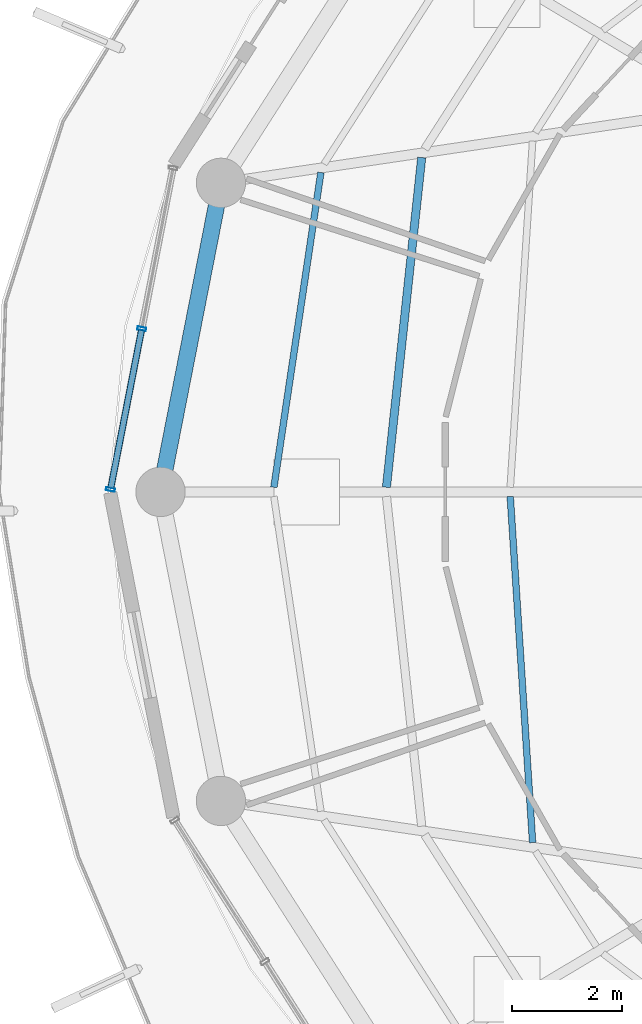
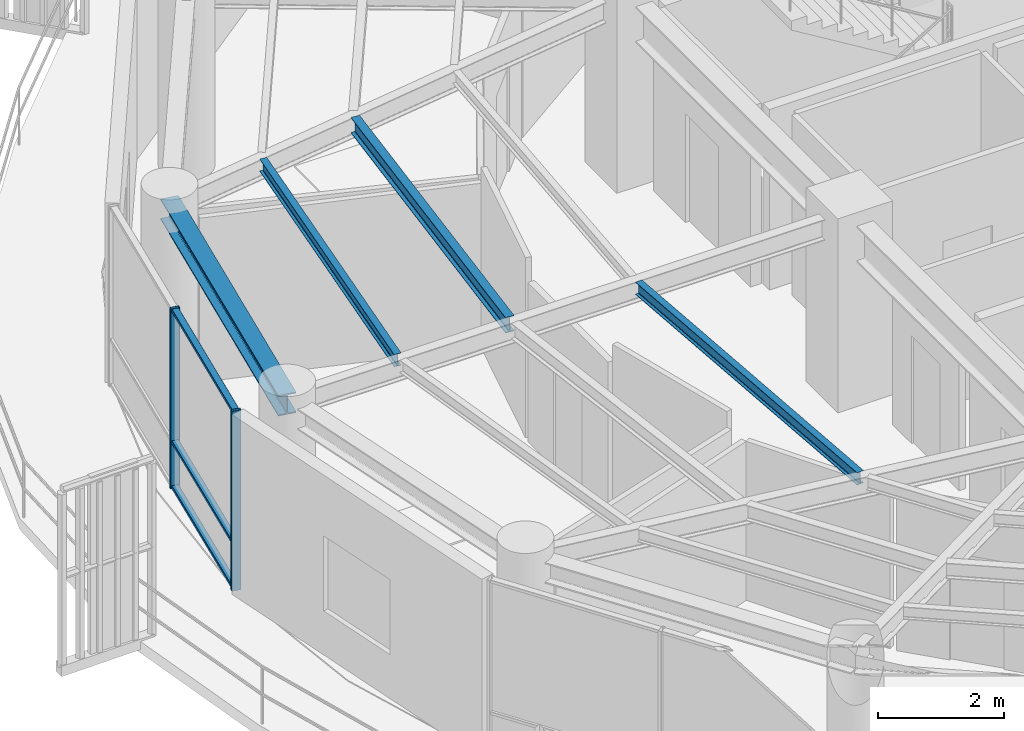
# One storey, part 6 of 23: 5 members, 4 beams, 1 element without a shape of its own.
"""IFC4 building model written with IfcOpenShell, lengths in metres."""

from ifc_helpers import new_model, si_unit, direction, frame, origin, origin_2d, place, context, subcontext, project, spatial, hollow_rectangle, i_section, extrude, material, layer, layer_set, material_profile, profile_set, type_object, element, aggregate, save


model = new_model("IFC4")

# Units and contexts
model_context = context("Model", 3, precision=1e-05, world=origin(), true_north=direction((0.0, 1.0)))
body_context = subcontext(model_context, "Body", "Model", "MODEL_VIEW")
ifc_project = project(units=[si_unit("LENGTHUNIT", "METRE"), si_unit("AREAUNIT", "SQUARE_METRE"), si_unit("VOLUMEUNIT", "CUBIC_METRE"), si_unit("PLANEANGLEUNIT", "RADIAN"), si_unit("MASSUNIT", "GRAM", prefix="KILO")], contexts=[model_context])

# Site, building, storey
site_placement = place(None, origin())
site = spatial("IfcSite", under=ifc_project, at=site_placement, CompositionType="ELEMENT")
building_placement = place(site_placement, origin())
building = spatial("IfcBuilding", under=site, at=building_placement, Name="Kelanora Arch Commons", CompositionType="ELEMENT")
storey_placement = place(building_placement, frame((0.0, 0.0, 252.449951171875)))
storey = spatial("IfcBuildingStorey", under=building, at=storey_placement, Name="L64", CompositionType="ELEMENT", Elevation=252.449951171875)

# Beams
ifc_material_1 = material(Name="Steel S355", Category="steel")
ifc_material_profile_1 = material_profile(ifc_material_1, i_section(OverallWidth=0.14990234375, OverallDepth=0.300048828125, WebThickness=0.007080078125, FlangeThickness=0.0107421875, FilletRadius=0.014892578125, at=origin_2d()), Name="IPE300")
ifc_profile_set_1 = profile_set([ifc_material_profile_1], Name="Steel S355")
beam_type_1 = type_object("IfcBeamType", Name="BM-JST-01", PredefinedType="JOIST", material=ifc_profile_set_1)
beam_1_placement = place(storey_placement, frame((60.484375, 64.097412109375, 3.340087890625), z_axis=(-0.106380594087, -0.994325484538, 0.0), x_axis=(0.994325484538, -0.106380594087, 0.0)))
element("IfcBeam", 1, at=beam_1_placement, inside=storey, type_object=beam_type_1, Name="Secondary Chord Joist BJB-16 L64", PredefinedType="JOIST", context=body_context, shape_type="SweptSolid", body=[
    extrude(i_section(OverallWidth=0.14990234375, OverallDepth=0.300048828125, WebThickness=0.007080078125, FlangeThickness=0.0107421875, FilletRadius=0.014892578125, at=origin_2d()), origin(), (0.0, 0.0, 1.0), 6.04736328125),
])
ifc_material_profile_2 = material_profile(ifc_material_1, i_section(OverallWidth=0.1201171875, OverallDepth=0.239990234375, WebThickness=0.006103515625, FlangeThickness=0.009765625, FilletRadius=0.014892578125, at=origin_2d()), Name="IPE240")
ifc_profile_set_2 = profile_set([ifc_material_profile_2], Name="Steel S355")
beam_type_2 = type_object("IfcBeamType", Name="BM-JST-02", PredefinedType="JOIST", material=ifc_profile_set_2)
beam_2_placement = place(storey_placement, frame((58.6455078125, 63.8251953125, 3.3701171875), z_axis=(-0.14762470282, -0.989043450571, 0.0), x_axis=(0.989043450571, -0.14762470282, 0.0)))
element("IfcBeam", 2, at=beam_2_placement, inside=storey, type_object=beam_type_2, Name="Secondary Chord Joist BJC-16 L64", PredefinedType="JOIST", context=body_context, shape_type="SweptSolid", body=[
    extrude(i_section(OverallWidth=0.1201171875, OverallDepth=0.239990234375, WebThickness=0.006103515625, FlangeThickness=0.009765625, FilletRadius=0.014892578125, at=origin_2d()), origin(), (0.0, 0.0, 1.0), 5.804931640625),
])
beam_3_placement = place(storey_placement, frame((62.09912109375, 57.915283203125, 3.3701171875), z_axis=(0.064495107978, -0.99791802321, 0.0), x_axis=(0.99791802321, 0.064495107978, 0.0)))
element("IfcBeam", 3, at=beam_3_placement, inside=storey, type_object=beam_type_2, Name="Secondary Chord Joist BJA-18 L64", PredefinedType="JOIST", context=body_context, shape_type="SweptSolid", body=[
    extrude(i_section(OverallWidth=0.1201171875, OverallDepth=0.239990234375, WebThickness=0.006103515625, FlangeThickness=0.009765625, FilletRadius=0.014892578125, at=origin_2d()), origin(), (0.0, 0.0, 1.0), 6.325439453125),
])
ifc_material_profile_3 = material_profile(ifc_material_1, i_section(OverallWidth=0.300048828125, OverallDepth=0.39990234375, WebThickness=0.013427734375, FlangeThickness=0.02392578125, FilletRadius=0.027099609375, at=origin_2d()), Name="HEB400")
ifc_profile_set_3 = profile_set([ifc_material_profile_3], Name="Steel S355")
beam_type_3 = type_object("IfcBeamType", Name="BM-SPN-Z4", PredefinedType="SPANDREL", material=ifc_profile_set_3)
beam_4_placement = place(storey_placement, frame((56.822509765625, 63.636474609375, 3.2900390625), z_axis=(-0.191969774604, -0.981400838413, 0.0), x_axis=(0.981400838413, -0.191969774604, 0.0)))
element("IfcBeam", 4, at=beam_4_placement, inside=storey, type_object=beam_type_3, Name="Perimeter Spandrel Beam BS-16 L64", PredefinedType="SPANDREL", context=body_context, shape_type="SweptSolid", body=[
    extrude(i_section(OverallWidth=0.300048828125, OverallDepth=0.39990234375, WebThickness=0.013427734375, FlangeThickness=0.02392578125, FilletRadius=0.027099609375, at=origin_2d()), origin(), (0.0, 0.0, 1.0), 5.743408203125),
])

# Curtain wall, members
ifc_material_2 = material(Name="Terracotta ceramic-fritted low-E glass and aluminium", Category="masonry")
ifc_layer = layer(ifc_material_2, 0.18994140625)
ifc_layer_set = layer_set([ifc_layer], Name="Terracotta ceramic-fritted low-E glass and aluminium")
curtain_wall_type = type_object("IfcCurtainWallType", Name="CW-SYS-03", PredefinedType="NOTDEFINED", material=ifc_layer_set)
curtain_wall_placement = place(storey_placement, origin())
curtain_wall = element("IfcCurtainWall", 5, at=curtain_wall_placement, inside=storey, type_object=curtain_wall_type, Name="Unitised Curtain Wall L64-B08", PredefinedType="NOTDEFINED")
ifc_material_3 = material(Name="Powder-coated aluminium terracotta", Category="masonry")
ifc_material_profile_4 = material_profile(ifc_material_3, hollow_rectangle(XDim=0.159912109375, YDim=0.06005859375, WallThickness=0.0048828125, InnerFilletRadius=0.0048828125, OuterFilletRadius=0.010009765625, at=origin_2d()), Name="CWM160x60")
ifc_profile_set_4 = profile_set([ifc_material_profile_4], Name="Powder-coated aluminium terracotta")
member_type_1 = type_object("IfcMemberType", Name="CWM-STD", PredefinedType="MULLION", material=ifc_profile_set_4)
member_1_placement = place(storey_placement, frame((55.37890625, 60.9755859375, 0.0), z_axis=(0.0, 0.0, 1.0), x_axis=(0.981595542501, -0.190971701941, 0.0)))
member_1 = element("IfcMember", 6, at=member_1_placement, type_object=member_type_1, Name="CW-03 mullion 2", PredefinedType="MULLION", context=body_context, shape_type="SweptSolid", body=[
    extrude(hollow_rectangle(XDim=0.159912109375, YDim=0.06005859375, WallThickness=0.0048828125, InnerFilletRadius=0.0048828125, OuterFilletRadius=0.010009765625, at=origin_2d()), origin(), (0.0, 0.0, 1.0), 3.47509765625),
])
member_2_placement = place(storey_placement, frame((54.80859375, 58.044189453125, 0.0), z_axis=(0.0, 0.0, 1.0), x_axis=(0.981595542501, -0.190971701941, 0.0)))
member_2 = element("IfcMember", 7, at=member_2_placement, type_object=member_type_1, Name="CW-03 mullion 3", PredefinedType="MULLION", context=body_context, shape_type="SweptSolid", body=[
    extrude(hollow_rectangle(XDim=0.159912109375, YDim=0.06005859375, WallThickness=0.0048828125, InnerFilletRadius=0.0048828125, OuterFilletRadius=0.010009765625, at=origin_2d()), origin(), (0.0, 0.0, 1.0), 3.47509765625),
])
ifc_material_profile_5 = material_profile(ifc_material_3, hollow_rectangle(XDim=0.1201171875, YDim=0.06005859375, WallThickness=0.0048828125, InnerFilletRadius=0.0048828125, OuterFilletRadius=0.010009765625, at=origin_2d()), Name="CWT120x60")
ifc_profile_set_5 = profile_set([ifc_material_profile_5], Name="Powder-coated aluminium terracotta")
member_type_2 = type_object("IfcMemberType", Name="CWT-STD", PredefinedType="USERDEFINED", material=ifc_profile_set_5)
member_3_placement = place(storey_placement, frame((55.373291015625, 60.946044921875, 0.030029296875), z_axis=(-0.190963443354, -0.981597149192, 0.0), x_axis=(0.981597149192, -0.190963443354, 0.0)))
member_3 = element("IfcMember", 8, at=member_3_placement, type_object=member_type_2, Name="CW-03 transom 2.1", ObjectType="TRANSOM", PredefinedType="USERDEFINED", context=body_context, shape_type="SweptSolid", body=[
    extrude(hollow_rectangle(XDim=0.1201171875, YDim=0.06005859375, WallThickness=0.0048828125, InnerFilletRadius=0.0048828125, OuterFilletRadius=0.010009765625, at=origin_2d()), origin(), (0.0, 0.0, 1.0), 2.926513671875),
])
member_4_placement = place(storey_placement, frame((55.373291015625, 60.946044921875, 0.900146484375), z_axis=(-0.190963443354, -0.981597149192, 0.0), x_axis=(0.981597149192, -0.190963443354, 0.0)))
member_4 = element("IfcMember", 9, at=member_4_placement, type_object=member_type_2, Name="CW-03 transom 2.2", ObjectType="TRANSOM", PredefinedType="USERDEFINED", context=body_context, shape_type="SweptSolid", body=[
    extrude(hollow_rectangle(XDim=0.1201171875, YDim=0.06005859375, WallThickness=0.0048828125, InnerFilletRadius=0.0048828125, OuterFilletRadius=0.010009765625, at=origin_2d()), origin(), (0.0, 0.0, 1.0), 2.926513671875),
])
member_5_placement = place(storey_placement, frame((55.373291015625, 60.946044921875, 3.445068359375), z_axis=(-0.190963443354, -0.981597149192, 0.0), x_axis=(0.981597149192, -0.190963443354, 0.0)))
member_5 = element("IfcMember", 10, at=member_5_placement, type_object=member_type_2, Name="CW-03 transom 2.3", ObjectType="TRANSOM", PredefinedType="USERDEFINED", context=body_context, shape_type="SweptSolid", body=[
    extrude(hollow_rectangle(XDim=0.1201171875, YDim=0.06005859375, WallThickness=0.0048828125, InnerFilletRadius=0.0048828125, OuterFilletRadius=0.010009765625, at=origin_2d()), origin(), (0.0, 0.0, 1.0), 2.926513671875),
])
aggregate(curtain_wall, [member_1, member_2, member_3, member_4, member_5])

save(model, "model.ifc")
